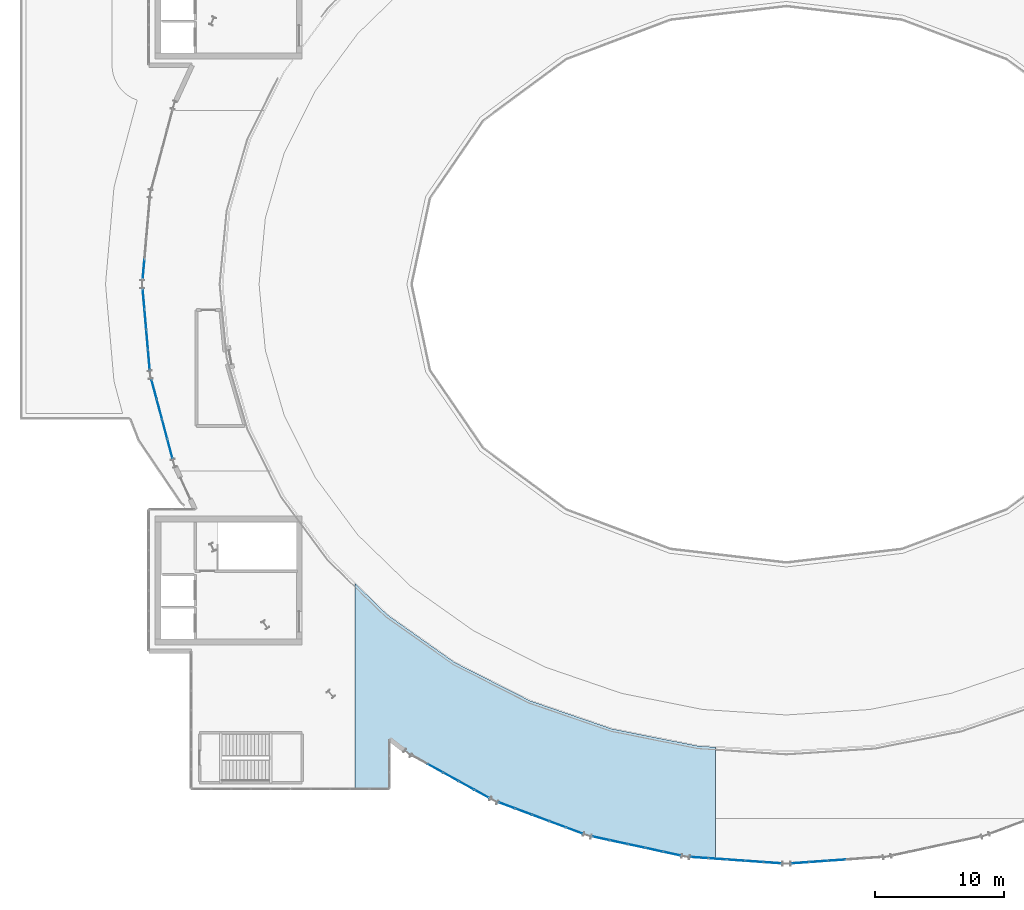
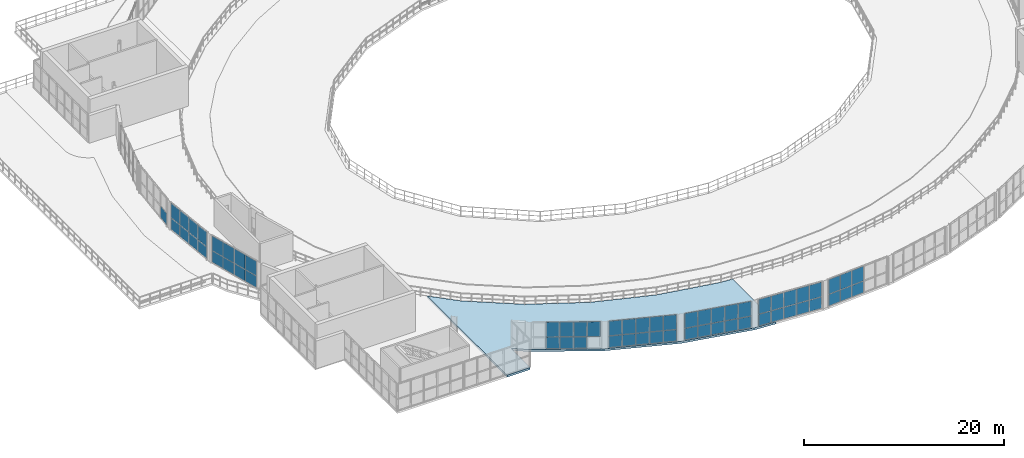
# One storey, part 24 of 40: 60 plates, 1 slab, 8 elements without a shape of their own.
"""IFC4 building model written with IfcOpenShell, lengths in metres."""

from ifc_helpers import new_model, si_unit, direction, frame, origin, origin_2d, place, context, subcontext, project, spatial, polyline, rectangle, outline, extrude, material, layer, layer_set, type_object, element, aggregate, save


model = new_model("IFC4")

# Units and contexts
model_context = context("Model", 3, precision=1e-05, world=origin(), true_north=direction((0.0, 1.0)))
body_context = subcontext(model_context, "Body", "Model", "MODEL_VIEW")
ifc_project = project(units=[si_unit("LENGTHUNIT", "METRE"), si_unit("AREAUNIT", "SQUARE_METRE"), si_unit("VOLUMEUNIT", "CUBIC_METRE"), si_unit("PLANEANGLEUNIT", "RADIAN"), si_unit("MASSUNIT", "GRAM", prefix="KILO")], contexts=[model_context])

# Site, building, storey
site_placement = place(None, origin())
site = spatial("IfcSite", under=ifc_project, at=site_placement, CompositionType="ELEMENT")
building_placement = place(site_placement, origin())
building = spatial("IfcBuilding", under=site, at=building_placement, Name="Glasvene Arena", CompositionType="ELEMENT")
storey_placement = place(building_placement, frame((0.0, 0.0, 24.0)))
storey = spatial("IfcBuildingStorey", under=building, at=storey_placement, Name="L05", CompositionType="ELEMENT", Elevation=24.0)

# Curtain wall, plates
ifc_material_1 = material(Name="Low-emissivity laminated double glazing", Category="glass")
curtain_wall_type_1 = type_object("IfcCurtainWallType", Name="CW-FAC-L05-637x332", PredefinedType="USERDEFINED", material=ifc_material_1)
curtain_wall_1_placement = place(storey_placement, frame((44.3525390625, 59.44873046875, 0.0)))
curtain_wall_1 = element("IfcCurtainWall", 1, at=curtain_wall_1_placement, inside=storey, type_object=curtain_wall_type_1, Name="Unitised curtain wall CW-F-L05-150-435-625-5", ObjectType="CURTAIN WALL", PredefinedType="USERDEFINED")
ifc_layer_1 = layer(ifc_material_1, 0.028076171875)
ifc_layer_set_1 = layer_set([ifc_layer_1], Name="Low-emissivity laminated double glazing")
plate_type = type_object("IfcPlateType", Name="CW-GLZ-28", PredefinedType="CURTAIN_PANEL", material=ifc_layer_set_1)
plate_1_placement = place(storey_placement, frame((44.14404296875, 60.230224609375, 0.10986328125), z_axis=(0.0, 0.0, 1.0), x_axis=(-0.257738862657, 0.966214613156, 0.0)))
plate_1 = element("IfcPlate", 2, at=plate_1_placement, type_object=plate_type, Name="CW-057 panel 1.1", PredefinedType="CURTAIN_PANEL", context=body_context, shape_type="SweptSolid", body=[
    extrude(rectangle(XDim=1.517578125, YDim=0.028076171875, at=origin_2d()), origin(), (0.0, 0.0, 1.0), 1.385986328125),
])
plate_2_placement = place(storey_placement, frame((44.14404296875, 60.230224609375, 1.5458984375), z_axis=(0.0, 0.0, 1.0), x_axis=(-0.257738862657, 0.966214613156, 0.0)))
plate_2 = element("IfcPlate", 3, at=plate_2_placement, type_object=plate_type, Name="CW-057 panel 1.2", PredefinedType="CURTAIN_PANEL", context=body_context, shape_type="SweptSolid", body=[
    extrude(rectangle(XDim=1.517578125, YDim=0.028076171875, at=origin_2d()), origin(), (0.0, 0.0, 1.0), 1.783935546875),
])
plate_3_placement = place(storey_placement, frame((43.73681640625, 61.7568359375, 0.10986328125), z_axis=(0.0, 0.0, 1.0), x_axis=(-0.257738862657, 0.966214613156, 0.0)))
plate_3 = element("IfcPlate", 4, at=plate_3_placement, type_object=plate_type, Name="CW-057 panel 2.1", PredefinedType="CURTAIN_PANEL", context=body_context, shape_type="SweptSolid", body=[
    extrude(rectangle(XDim=1.54248046875, YDim=0.028076171875, at=origin_2d()), origin(), (0.0, 0.0, 1.0), 1.385986328125),
])
plate_4_placement = place(storey_placement, frame((43.73681640625, 61.7568359375, 1.5458984375), z_axis=(0.0, 0.0, 1.0), x_axis=(-0.257738862657, 0.966214613156, 0.0)))
plate_4 = element("IfcPlate", 5, at=plate_4_placement, type_object=plate_type, Name="CW-057 panel 2.2", PredefinedType="CURTAIN_PANEL", context=body_context, shape_type="SweptSolid", body=[
    extrude(rectangle(XDim=1.54248046875, YDim=0.028076171875, at=origin_2d()), origin(), (0.0, 0.0, 1.0), 1.783935546875),
])
plate_5_placement = place(storey_placement, frame((43.326416015625, 63.295654296875, 0.10986328125), z_axis=(0.0, 0.0, 1.0), x_axis=(-0.257738862657, 0.966214613156, 0.0)))
plate_5 = element("IfcPlate", 6, at=plate_5_placement, type_object=plate_type, Name="CW-057 panel 3.1", PredefinedType="CURTAIN_PANEL", context=body_context, shape_type="SweptSolid", body=[
    extrude(rectangle(XDim=1.54248046875, YDim=0.028076171875, at=origin_2d()), origin(), (0.0, 0.0, 1.0), 1.385986328125),
])
plate_6_placement = place(storey_placement, frame((43.326416015625, 63.295654296875, 1.5458984375), z_axis=(0.0, 0.0, 1.0), x_axis=(-0.257738862657, 0.966214613156, 0.0)))
plate_6 = element("IfcPlate", 7, at=plate_6_placement, type_object=plate_type, Name="CW-057 panel 3.2", PredefinedType="CURTAIN_PANEL", context=body_context, shape_type="SweptSolid", body=[
    extrude(rectangle(XDim=1.54248046875, YDim=0.028076171875, at=origin_2d()), origin(), (0.0, 0.0, 1.0), 1.783935546875),
])
plate_7_placement = place(storey_placement, frame((42.919189453125, 64.822265625, 0.10986328125), z_axis=(0.0, 0.0, 1.0), x_axis=(-0.257738862657, 0.966214613156, 0.0)))
plate_7 = element("IfcPlate", 8, at=plate_7_placement, type_object=plate_type, Name="CW-057 panel 4.1", PredefinedType="CURTAIN_PANEL", context=body_context, shape_type="SweptSolid", body=[
    extrude(rectangle(XDim=1.517578125, YDim=0.028076171875, at=origin_2d()), origin(), (0.0, 0.0, 1.0), 1.385986328125),
])
plate_8_placement = place(storey_placement, frame((42.919189453125, 64.822265625, 1.5458984375), z_axis=(0.0, 0.0, 1.0), x_axis=(-0.257738862657, 0.966214613156, 0.0)))
plate_8 = element("IfcPlate", 9, at=plate_8_placement, type_object=plate_type, Name="CW-057 panel 4.2", PredefinedType="CURTAIN_PANEL", context=body_context, shape_type="SweptSolid", body=[
    extrude(rectangle(XDim=1.517578125, YDim=0.028076171875, at=origin_2d()), origin(), (0.0, 0.0, 1.0), 1.783935546875),
])
aggregate(curtain_wall_1, [plate_1, plate_2, plate_3, plate_4, plate_5, plate_6, plate_7, plate_8])

curtain_wall_type_2 = type_object("IfcCurtainWallType", Name="CW-FAC-L05-633x332", PredefinedType="USERDEFINED", material=ifc_material_1)
curtain_wall_2_placement = place(storey_placement, frame((42.58349609375, 66.326416015625, 0.0)))
curtain_wall_2 = element("IfcCurtainWall", 10, at=curtain_wall_2_placement, inside=storey, type_object=curtain_wall_type_2, Name="Unitised curtain wall CW-F-L05-150-423-695-6", ObjectType="CURTAIN WALL", PredefinedType="USERDEFINED")
plate_9_placement = place(storey_placement, frame((42.513671875, 67.127197265625, 0.10986328125), z_axis=(0.0, 0.0, 1.0), x_axis=(-0.087112869305, 0.996198448102, 0.0)))
plate_9 = element("IfcPlate", 11, at=plate_9_placement, type_object=plate_type, Name="CW-058 panel 1.1", PredefinedType="CURTAIN_PANEL", context=body_context, shape_type="SweptSolid", body=[
    extrude(rectangle(XDim=1.5078125, YDim=0.028076171875, at=origin_2d()), origin(), (0.0, 0.0, 1.0), 1.385986328125),
])
plate_10_placement = place(storey_placement, frame((42.513671875, 67.127197265625, 1.5458984375), z_axis=(0.0, 0.0, 1.0), x_axis=(-0.087112869305, 0.996198448102, 0.0)))
plate_10 = element("IfcPlate", 12, at=plate_10_placement, type_object=plate_type, Name="CW-058 panel 1.2", PredefinedType="CURTAIN_PANEL", context=body_context, shape_type="SweptSolid", body=[
    extrude(rectangle(XDim=1.5078125, YDim=0.028076171875, at=origin_2d()), origin(), (0.0, 0.0, 1.0), 1.783935546875),
])
plate_11_placement = place(storey_placement, frame((42.376708984375, 68.69140625, 0.10986328125), z_axis=(0.0, 0.0, 1.0), x_axis=(-0.087112869305, 0.996198448102, 0.0)))
plate_11 = element("IfcPlate", 13, at=plate_11_placement, type_object=plate_type, Name="CW-058 panel 2.1", PredefinedType="CURTAIN_PANEL", context=body_context, shape_type="SweptSolid", body=[
    extrude(rectangle(XDim=1.53271484375, YDim=0.028076171875, at=origin_2d()), origin(), (0.0, 0.0, 1.0), 1.385986328125),
])
plate_12_placement = place(storey_placement, frame((42.376708984375, 68.69140625, 1.5458984375), z_axis=(0.0, 0.0, 1.0), x_axis=(-0.087112869305, 0.996198448102, 0.0)))
plate_12 = element("IfcPlate", 14, at=plate_12_placement, type_object=plate_type, Name="CW-058 panel 2.2", PredefinedType="CURTAIN_PANEL", context=body_context, shape_type="SweptSolid", body=[
    extrude(rectangle(XDim=1.53271484375, YDim=0.028076171875, at=origin_2d()), origin(), (0.0, 0.0, 1.0), 1.783935546875),
])
plate_13_placement = place(storey_placement, frame((42.239013671875, 70.26806640625, 0.10986328125), z_axis=(0.0, 0.0, 1.0), x_axis=(-0.087112869305, 0.996198448102, 0.0)))
plate_13 = element("IfcPlate", 15, at=plate_13_placement, type_object=plate_type, Name="CW-058 panel 3.1", PredefinedType="CURTAIN_PANEL", context=body_context, shape_type="SweptSolid", body=[
    extrude(rectangle(XDim=1.53271484375, YDim=0.028076171875, at=origin_2d()), origin(), (0.0, 0.0, 1.0), 1.385986328125),
])
plate_14_placement = place(storey_placement, frame((42.239013671875, 70.26806640625, 1.5458984375), z_axis=(0.0, 0.0, 1.0), x_axis=(-0.087112869305, 0.996198448102, 0.0)))
plate_14 = element("IfcPlate", 16, at=plate_14_placement, type_object=plate_type, Name="CW-058 panel 3.2", PredefinedType="CURTAIN_PANEL", context=body_context, shape_type="SweptSolid", body=[
    extrude(rectangle(XDim=1.53271484375, YDim=0.028076171875, at=origin_2d()), origin(), (0.0, 0.0, 1.0), 1.783935546875),
])
plate_15_placement = place(storey_placement, frame((42.10205078125, 71.83251953125, 0.10986328125), z_axis=(0.0, 0.0, 1.0), x_axis=(-0.087112869305, 0.996198448102, 0.0)))
plate_15 = element("IfcPlate", 17, at=plate_15_placement, type_object=plate_type, Name="CW-058 panel 4.1", PredefinedType="CURTAIN_PANEL", context=body_context, shape_type="SweptSolid", body=[
    extrude(rectangle(XDim=1.5078125, YDim=0.028076171875, at=origin_2d()), origin(), (0.0, 0.0, 1.0), 1.385986328125),
])
plate_16_placement = place(storey_placement, frame((42.10205078125, 71.83251953125, 1.5458984375), z_axis=(0.0, 0.0, 1.0), x_axis=(-0.087112869305, 0.996198448102, 0.0)))
plate_16 = element("IfcPlate", 18, at=plate_16_placement, type_object=plate_type, Name="CW-058 panel 4.2", PredefinedType="CURTAIN_PANEL", context=body_context, shape_type="SweptSolid", body=[
    extrude(rectangle(XDim=1.5078125, YDim=0.028076171875, at=origin_2d()), origin(), (0.0, 0.0, 1.0), 1.783935546875),
])
aggregate(curtain_wall_2, [plate_9, plate_10, plate_11, plate_12, plate_13, plate_14, plate_15, plate_16])

# Curtain wall, plate
curtain_wall_3_placement = place(storey_placement, frame((42.031982421875, 73.36669921875, 0.0)))
curtain_wall_3 = element("IfcCurtainWall", 19, at=curtain_wall_3_placement, inside=storey, type_object=curtain_wall_type_2, Name="Unitised curtain wall CW-F-L05-150-423-765-7", ObjectType="CURTAIN WALL", PredefinedType="USERDEFINED")
plate_17_placement = place(storey_placement, frame((42.10205078125, 74.16748046875, 0.10986328125), z_axis=(0.0, 0.0, 1.0), x_axis=(0.087112869305, 0.996198448102, 0.0)))
plate_17 = element("IfcPlate", 20, at=plate_17_placement, type_object=plate_type, Name="CW-058 panel 1.1", PredefinedType="CURTAIN_PANEL", context=body_context, shape_type="SweptSolid", body=[
    extrude(rectangle(XDim=1.5078125, YDim=0.028076171875, at=origin_2d()), origin(), (0.0, 0.0, 1.0), 1.385986328125),
])
aggregate(curtain_wall_3, [plate_17])

# Curtain wall, plates
curtain_wall_type_3 = type_object("IfcCurtainWallType", Name="CW-FAC-L05-710x332", PredefinedType="USERDEFINED", material=ifc_material_1)
curtain_wall_4_placement = place(storey_placement, frame((99.453857421875, 28.528076171875, 0.0)))
curtain_wall_4 = element("IfcCurtainWall", 21, at=curtain_wall_4_placement, inside=storey, type_object=curtain_wall_type_3, Name="Unitised curtain wall CW-F-L05-150-959-283-44", ObjectType="CURTAIN WALL", PredefinedType="USERDEFINED")
plate_18_placement = place(storey_placement, frame((95.910400390625, 28.277099609375, 0.10986328125), z_axis=(0.0, 0.0, 1.0), x_axis=(-0.997500679029, -0.070656884566, 0.0)))
plate_18 = element("IfcPlate", 22, at=plate_18_placement, type_object=plate_type, Name="CW-065 panel 3.1", PredefinedType="CURTAIN_PANEL", context=body_context, shape_type="SweptSolid", body=[
    extrude(rectangle(XDim=1.370849609375, YDim=0.028076171875, at=origin_2d()), origin(), (0.0, 0.0, 1.0), 1.385986328125),
])
plate_19_placement = place(storey_placement, frame((95.910400390625, 28.277099609375, 1.5458984375), z_axis=(0.0, 0.0, 1.0), x_axis=(-0.997500679029, -0.070656884566, 0.0)))
plate_19 = element("IfcPlate", 23, at=plate_19_placement, type_object=plate_type, Name="CW-065 panel 3.2", PredefinedType="CURTAIN_PANEL", context=body_context, shape_type="SweptSolid", body=[
    extrude(rectangle(XDim=1.370849609375, YDim=0.028076171875, at=origin_2d()), origin(), (0.0, 0.0, 1.0), 1.783935546875),
])
plate_20_placement = place(storey_placement, frame((94.492919921875, 28.176513671875, 0.10986328125), z_axis=(0.0, 0.0, 1.0), x_axis=(-0.997500679029, -0.070656884566, 0.0)))
plate_20 = element("IfcPlate", 24, at=plate_20_placement, type_object=plate_type, Name="CW-065 panel 4.1", PredefinedType="CURTAIN_PANEL", context=body_context, shape_type="SweptSolid", body=[
    extrude(rectangle(XDim=1.370849609375, YDim=0.028076171875, at=origin_2d()), origin(), (0.0, 0.0, 1.0), 1.385986328125),
])
plate_21_placement = place(storey_placement, frame((94.492919921875, 28.176513671875, 1.5458984375), z_axis=(0.0, 0.0, 1.0), x_axis=(-0.997500679029, -0.070656884566, 0.0)))
plate_21 = element("IfcPlate", 25, at=plate_21_placement, type_object=plate_type, Name="CW-065 panel 4.2", PredefinedType="CURTAIN_PANEL", context=body_context, shape_type="SweptSolid", body=[
    extrude(rectangle(XDim=1.370849609375, YDim=0.028076171875, at=origin_2d()), origin(), (0.0, 0.0, 1.0), 1.783935546875),
])
plate_22_placement = place(storey_placement, frame((93.088134765625, 28.0771484375, 0.10986328125), z_axis=(0.0, 0.0, 1.0), x_axis=(-0.997500679029, -0.070656884566, 0.0)))
plate_22 = element("IfcPlate", 26, at=plate_22_placement, type_object=plate_type, Name="CW-065 panel 5.1", PredefinedType="CURTAIN_PANEL", context=body_context, shape_type="SweptSolid", body=[
    extrude(rectangle(XDim=1.345947265625, YDim=0.028076171875, at=origin_2d()), origin(), (0.0, 0.0, 1.0), 1.385986328125),
])
plate_23_placement = place(storey_placement, frame((93.088134765625, 28.0771484375, 1.5458984375), z_axis=(0.0, 0.0, 1.0), x_axis=(-0.997500679029, -0.070656884566, 0.0)))
plate_23 = element("IfcPlate", 27, at=plate_23_placement, type_object=plate_type, Name="CW-065 panel 5.2", PredefinedType="CURTAIN_PANEL", context=body_context, shape_type="SweptSolid", body=[
    extrude(rectangle(XDim=1.345947265625, YDim=0.028076171875, at=origin_2d()), origin(), (0.0, 0.0, 1.0), 1.783935546875),
])
aggregate(curtain_wall_4, [plate_18, plate_19, plate_20, plate_21, plate_22, plate_23])

curtain_wall_5_placement = place(storey_placement, frame((91.633056640625, 28.02587890625, 0.0)))
curtain_wall_5 = element("IfcCurtainWall", 28, at=curtain_wall_5_placement, inside=storey, type_object=curtain_wall_type_3, Name="Unitised curtain wall CW-F-L05-150-881-283-45", ObjectType="CURTAIN WALL", PredefinedType="USERDEFINED")
plate_24_placement = place(storey_placement, frame((90.911865234375, 28.0771484375, 0.10986328125), z_axis=(0.0, 0.0, 1.0), x_axis=(-0.997500679029, 0.070656884566, 0.0)))
plate_24 = element("IfcPlate", 29, at=plate_24_placement, type_object=plate_type, Name="CW-065 panel 1.1", PredefinedType="CURTAIN_PANEL", context=body_context, shape_type="SweptSolid", body=[
    extrude(rectangle(XDim=1.345947265625, YDim=0.028076171875, at=origin_2d()), origin(), (0.0, 0.0, 1.0), 1.385986328125),
])
plate_25_placement = place(storey_placement, frame((90.911865234375, 28.0771484375, 1.5458984375), z_axis=(0.0, 0.0, 1.0), x_axis=(-0.997500679029, 0.070656884566, 0.0)))
plate_25 = element("IfcPlate", 30, at=plate_25_placement, type_object=plate_type, Name="CW-065 panel 1.2", PredefinedType="CURTAIN_PANEL", context=body_context, shape_type="SweptSolid", body=[
    extrude(rectangle(XDim=1.345947265625, YDim=0.028076171875, at=origin_2d()), origin(), (0.0, 0.0, 1.0), 1.783935546875),
])
plate_26_placement = place(storey_placement, frame((89.507080078125, 28.176513671875, 0.10986328125), z_axis=(0.0, 0.0, 1.0), x_axis=(-0.997500679029, 0.070656884566, 0.0)))
plate_26 = element("IfcPlate", 31, at=plate_26_placement, type_object=plate_type, Name="CW-065 panel 2.1", PredefinedType="CURTAIN_PANEL", context=body_context, shape_type="SweptSolid", body=[
    extrude(rectangle(XDim=1.370849609375, YDim=0.028076171875, at=origin_2d()), origin(), (0.0, 0.0, 1.0), 1.385986328125),
])
plate_27_placement = place(storey_placement, frame((89.507080078125, 28.176513671875, 1.5458984375), z_axis=(0.0, 0.0, 1.0), x_axis=(-0.997500679029, 0.070656884566, 0.0)))
plate_27 = element("IfcPlate", 32, at=plate_27_placement, type_object=plate_type, Name="CW-065 panel 2.2", PredefinedType="CURTAIN_PANEL", context=body_context, shape_type="SweptSolid", body=[
    extrude(rectangle(XDim=1.370849609375, YDim=0.028076171875, at=origin_2d()), origin(), (0.0, 0.0, 1.0), 1.783935546875),
])
plate_28_placement = place(storey_placement, frame((88.089599609375, 28.277099609375, 0.10986328125), z_axis=(0.0, 0.0, 1.0), x_axis=(-0.997500679029, 0.070656884566, 0.0)))
plate_28 = element("IfcPlate", 33, at=plate_28_placement, type_object=plate_type, Name="CW-065 panel 3.1", PredefinedType="CURTAIN_PANEL", context=body_context, shape_type="SweptSolid", body=[
    extrude(rectangle(XDim=1.370849609375, YDim=0.028076171875, at=origin_2d()), origin(), (0.0, 0.0, 1.0), 1.385986328125),
])
plate_29_placement = place(storey_placement, frame((88.089599609375, 28.277099609375, 1.5458984375), z_axis=(0.0, 0.0, 1.0), x_axis=(-0.997500679029, 0.070656884566, 0.0)))
plate_29 = element("IfcPlate", 34, at=plate_29_placement, type_object=plate_type, Name="CW-065 panel 3.2", PredefinedType="CURTAIN_PANEL", context=body_context, shape_type="SweptSolid", body=[
    extrude(rectangle(XDim=1.370849609375, YDim=0.028076171875, at=origin_2d()), origin(), (0.0, 0.0, 1.0), 1.783935546875),
])
plate_30_placement = place(storey_placement, frame((86.672119140625, 28.37744140625, 0.10986328125), z_axis=(0.0, 0.0, 1.0), x_axis=(-0.997500679029, 0.070656884566, 0.0)))
plate_30 = element("IfcPlate", 35, at=plate_30_placement, type_object=plate_type, Name="CW-065 panel 4.1", PredefinedType="CURTAIN_PANEL", context=body_context, shape_type="SweptSolid", body=[
    extrude(rectangle(XDim=1.370849609375, YDim=0.028076171875, at=origin_2d()), origin(), (0.0, 0.0, 1.0), 1.385986328125),
])
plate_31_placement = place(storey_placement, frame((86.672119140625, 28.37744140625, 1.5458984375), z_axis=(0.0, 0.0, 1.0), x_axis=(-0.997500679029, 0.070656884566, 0.0)))
plate_31 = element("IfcPlate", 36, at=plate_31_placement, type_object=plate_type, Name="CW-065 panel 4.2", PredefinedType="CURTAIN_PANEL", context=body_context, shape_type="SweptSolid", body=[
    extrude(rectangle(XDim=1.370849609375, YDim=0.028076171875, at=origin_2d()), origin(), (0.0, 0.0, 1.0), 1.783935546875),
])
plate_32_placement = place(storey_placement, frame((85.267333984375, 28.476806640625, 0.10986328125), z_axis=(0.0, 0.0, 1.0), x_axis=(-0.997500679029, 0.070656884566, 0.0)))
plate_32 = element("IfcPlate", 37, at=plate_32_placement, type_object=plate_type, Name="CW-065 panel 5.1", PredefinedType="CURTAIN_PANEL", context=body_context, shape_type="SweptSolid", body=[
    extrude(rectangle(XDim=1.345947265625, YDim=0.028076171875, at=origin_2d()), origin(), (0.0, 0.0, 1.0), 1.385986328125),
])
plate_33_placement = place(storey_placement, frame((85.267333984375, 28.476806640625, 1.5458984375), z_axis=(0.0, 0.0, 1.0), x_axis=(-0.997500679029, 0.070656884566, 0.0)))
plate_33 = element("IfcPlate", 38, at=plate_33_placement, type_object=plate_type, Name="CW-065 panel 5.2", PredefinedType="CURTAIN_PANEL", context=body_context, shape_type="SweptSolid", body=[
    extrude(rectangle(XDim=1.345947265625, YDim=0.028076171875, at=origin_2d()), origin(), (0.0, 0.0, 1.0), 1.783935546875),
])
aggregate(curtain_wall_5, [plate_24, plate_25, plate_26, plate_27, plate_28, plate_29, plate_30, plate_31, plate_32, plate_33])

curtain_wall_type_4 = type_object("IfcCurtainWallType", Name="CW-FAC-L05-707x332", PredefinedType="USERDEFINED", material=ifc_material_1)
curtain_wall_6_placement = place(storey_placement, frame((83.8193359375, 28.631591796875, 0.0)))
curtain_wall_6 = element("IfcCurtainWall", 39, at=curtain_wall_6_placement, inside=storey, type_object=curtain_wall_type_4, Name="Unitised curtain wall CW-F-L05-150-804-294-46", ObjectType="CURTAIN WALL", PredefinedType="USERDEFINED")
plate_34_placement = place(storey_placement, frame((83.1162109375, 28.783447265625, 0.10986328125), z_axis=(0.0, 0.0, 1.0), x_axis=(-0.977438407668, 0.211220641072, 0.0)))
plate_34 = element("IfcPlate", 40, at=plate_34_placement, type_object=plate_type, Name="CW-064 panel 1.1", PredefinedType="CURTAIN_PANEL", context=body_context, shape_type="SweptSolid", body=[
    extrude(rectangle(XDim=1.338623046875, YDim=0.028076171875, at=origin_2d()), origin(), (0.0, 0.0, 1.0), 1.385986328125),
])
plate_35_placement = place(storey_placement, frame((83.1162109375, 28.783447265625, 1.5458984375), z_axis=(0.0, 0.0, 1.0), x_axis=(-0.977438407668, 0.211220641072, 0.0)))
plate_35 = element("IfcPlate", 41, at=plate_35_placement, type_object=plate_type, Name="CW-064 panel 1.2", PredefinedType="CURTAIN_PANEL", context=body_context, shape_type="SweptSolid", body=[
    extrude(rectangle(XDim=1.338623046875, YDim=0.028076171875, at=origin_2d()), origin(), (0.0, 0.0, 1.0), 1.783935546875),
])
plate_36_placement = place(storey_placement, frame((81.746826171875, 29.079345703125, 0.10986328125), z_axis=(0.0, 0.0, 1.0), x_axis=(-0.977438407668, 0.211220641072, 0.0)))
plate_36 = element("IfcPlate", 42, at=plate_36_placement, type_object=plate_type, Name="CW-064 panel 2.1", PredefinedType="CURTAIN_PANEL", context=body_context, shape_type="SweptSolid", body=[
    extrude(rectangle(XDim=1.363525390625, YDim=0.028076171875, at=origin_2d()), origin(), (0.0, 0.0, 1.0), 1.385986328125),
])
plate_37_placement = place(storey_placement, frame((81.746826171875, 29.079345703125, 1.5458984375), z_axis=(0.0, 0.0, 1.0), x_axis=(-0.977438407668, 0.211220641072, 0.0)))
plate_37 = element("IfcPlate", 43, at=plate_37_placement, type_object=plate_type, Name="CW-064 panel 2.2", PredefinedType="CURTAIN_PANEL", context=body_context, shape_type="SweptSolid", body=[
    extrude(rectangle(XDim=1.363525390625, YDim=0.028076171875, at=origin_2d()), origin(), (0.0, 0.0, 1.0), 1.783935546875),
])
plate_38_placement = place(storey_placement, frame((80.364990234375, 29.3779296875, 0.10986328125), z_axis=(0.0, 0.0, 1.0), x_axis=(-0.977438407668, 0.211220641072, 0.0)))
plate_38 = element("IfcPlate", 44, at=plate_38_placement, type_object=plate_type, Name="CW-064 panel 3.1", PredefinedType="CURTAIN_PANEL", context=body_context, shape_type="SweptSolid", body=[
    extrude(rectangle(XDim=1.363525390625, YDim=0.028076171875, at=origin_2d()), origin(), (0.0, 0.0, 1.0), 1.385986328125),
])
plate_39_placement = place(storey_placement, frame((80.364990234375, 29.3779296875, 1.5458984375), z_axis=(0.0, 0.0, 1.0), x_axis=(-0.977438407668, 0.211220641072, 0.0)))
plate_39 = element("IfcPlate", 45, at=plate_39_placement, type_object=plate_type, Name="CW-064 panel 3.2", PredefinedType="CURTAIN_PANEL", context=body_context, shape_type="SweptSolid", body=[
    extrude(rectangle(XDim=1.363525390625, YDim=0.028076171875, at=origin_2d()), origin(), (0.0, 0.0, 1.0), 1.783935546875),
])
plate_40_placement = place(storey_placement, frame((78.9833984375, 29.676513671875, 0.10986328125), z_axis=(0.0, 0.0, 1.0), x_axis=(-0.977438407668, 0.211220641072, 0.0)))
plate_40 = element("IfcPlate", 46, at=plate_40_placement, type_object=plate_type, Name="CW-064 panel 4.1", PredefinedType="CURTAIN_PANEL", context=body_context, shape_type="SweptSolid", body=[
    extrude(rectangle(XDim=1.363525390625, YDim=0.028076171875, at=origin_2d()), origin(), (0.0, 0.0, 1.0), 1.385986328125),
])
plate_41_placement = place(storey_placement, frame((78.9833984375, 29.676513671875, 1.5458984375), z_axis=(0.0, 0.0, 1.0), x_axis=(-0.977438407668, 0.211220641072, 0.0)))
plate_41 = element("IfcPlate", 47, at=plate_41_placement, type_object=plate_type, Name="CW-064 panel 4.2", PredefinedType="CURTAIN_PANEL", context=body_context, shape_type="SweptSolid", body=[
    extrude(rectangle(XDim=1.363525390625, YDim=0.028076171875, at=origin_2d()), origin(), (0.0, 0.0, 1.0), 1.783935546875),
])
plate_42_placement = place(storey_placement, frame((77.61376953125, 29.972412109375, 0.10986328125), z_axis=(0.0, 0.0, 1.0), x_axis=(-0.977438407668, 0.211220641072, 0.0)))
plate_42 = element("IfcPlate", 48, at=plate_42_placement, type_object=plate_type, Name="CW-064 panel 5.1", PredefinedType="CURTAIN_PANEL", context=body_context, shape_type="SweptSolid", body=[
    extrude(rectangle(XDim=1.338623046875, YDim=0.028076171875, at=origin_2d()), origin(), (0.0, 0.0, 1.0), 1.385986328125),
])
plate_43_placement = place(storey_placement, frame((77.61376953125, 29.972412109375, 1.5458984375), z_axis=(0.0, 0.0, 1.0), x_axis=(-0.977438407668, 0.211220641072, 0.0)))
plate_43 = element("IfcPlate", 49, at=plate_43_placement, type_object=plate_type, Name="CW-064 panel 5.2", PredefinedType="CURTAIN_PANEL", context=body_context, shape_type="SweptSolid", body=[
    extrude(rectangle(XDim=1.338623046875, YDim=0.028076171875, at=origin_2d()), origin(), (0.0, 0.0, 1.0), 1.783935546875),
])
aggregate(curtain_wall_6, [plate_34, plate_35, plate_36, plate_37, plate_38, plate_39, plate_40, plate_41, plate_42, plate_43])

curtain_wall_type_5 = type_object("IfcCurtainWallType", Name="CW-FAC-L05-700x332", PredefinedType="USERDEFINED", material=ifc_material_1)
curtain_wall_7_placement = place(storey_placement, frame((76.205322265625, 30.330810546875, 0.0)))
curtain_wall_7 = element("IfcCurtainWall", 50, at=curtain_wall_7_placement, inside=storey, type_object=curtain_wall_type_5, Name="Unitised curtain wall CW-F-L05-150-729-316-47", ObjectType="CURTAIN WALL", PredefinedType="USERDEFINED")
plate_44_placement = place(storey_placement, frame((75.537841796875, 30.57958984375, 0.10986328125), z_axis=(0.0, 0.0, 1.0), x_axis=(-0.937012154818, 0.349296753096, 0.0)))
plate_44 = element("IfcPlate", 51, at=plate_44_placement, type_object=plate_type, Name="CW-063 panel 1.1", PredefinedType="CURTAIN_PANEL", context=body_context, shape_type="SweptSolid", body=[
    extrude(rectangle(XDim=1.324462890625, YDim=0.028076171875, at=origin_2d()), origin(), (0.0, 0.0, 1.0), 1.385986328125),
])
plate_45_placement = place(storey_placement, frame((75.537841796875, 30.57958984375, 1.5458984375), z_axis=(0.0, 0.0, 1.0), x_axis=(-0.937012154818, 0.349296753096, 0.0)))
plate_45 = element("IfcPlate", 52, at=plate_45_placement, type_object=plate_type, Name="CW-063 panel 1.2", PredefinedType="CURTAIN_PANEL", context=body_context, shape_type="SweptSolid", body=[
    extrude(rectangle(XDim=1.324462890625, YDim=0.028076171875, at=origin_2d()), origin(), (0.0, 0.0, 1.0), 1.783935546875),
])
plate_46_placement = place(storey_placement, frame((74.23828125, 31.06396484375, 0.10986328125), z_axis=(0.0, 0.0, 1.0), x_axis=(-0.937012154818, 0.349296753096, 0.0)))
plate_46 = element("IfcPlate", 53, at=plate_46_placement, type_object=plate_type, Name="CW-063 panel 2.1", PredefinedType="CURTAIN_PANEL", context=body_context, shape_type="SweptSolid", body=[
    extrude(rectangle(XDim=1.349609375, YDim=0.028076171875, at=origin_2d()), origin(), (0.0, 0.0, 1.0), 1.385986328125),
])
plate_47_placement = place(storey_placement, frame((74.23828125, 31.06396484375, 1.5458984375), z_axis=(0.0, 0.0, 1.0), x_axis=(-0.937012154818, 0.349296753096, 0.0)))
plate_47 = element("IfcPlate", 54, at=plate_47_placement, type_object=plate_type, Name="CW-063 panel 2.2", PredefinedType="CURTAIN_PANEL", context=body_context, shape_type="SweptSolid", body=[
    extrude(rectangle(XDim=1.349609375, YDim=0.028076171875, at=origin_2d()), origin(), (0.0, 0.0, 1.0), 1.783935546875),
])
plate_48_placement = place(storey_placement, frame((72.9267578125, 31.552734375, 0.10986328125), z_axis=(0.0, 0.0, 1.0), x_axis=(-0.937012154818, 0.349296753096, 0.0)))
plate_48 = element("IfcPlate", 55, at=plate_48_placement, type_object=plate_type, Name="CW-063 panel 3.1", PredefinedType="CURTAIN_PANEL", context=body_context, shape_type="SweptSolid", body=[
    extrude(rectangle(XDim=1.349609375, YDim=0.028076171875, at=origin_2d()), origin(), (0.0, 0.0, 1.0), 1.385986328125),
])
plate_49_placement = place(storey_placement, frame((72.9267578125, 31.552734375, 1.5458984375), z_axis=(0.0, 0.0, 1.0), x_axis=(-0.937012154818, 0.349296753096, 0.0)))
plate_49 = element("IfcPlate", 56, at=plate_49_placement, type_object=plate_type, Name="CW-063 panel 3.2", PredefinedType="CURTAIN_PANEL", context=body_context, shape_type="SweptSolid", body=[
    extrude(rectangle(XDim=1.349609375, YDim=0.028076171875, at=origin_2d()), origin(), (0.0, 0.0, 1.0), 1.783935546875),
])
plate_50_placement = place(storey_placement, frame((71.615478515625, 32.041748046875, 0.10986328125), z_axis=(0.0, 0.0, 1.0), x_axis=(-0.937012154818, 0.349296753096, 0.0)))
plate_50 = element("IfcPlate", 57, at=plate_50_placement, type_object=plate_type, Name="CW-063 panel 4.1", PredefinedType="CURTAIN_PANEL", context=body_context, shape_type="SweptSolid", body=[
    extrude(rectangle(XDim=1.349609375, YDim=0.028076171875, at=origin_2d()), origin(), (0.0, 0.0, 1.0), 1.385986328125),
])
plate_51_placement = place(storey_placement, frame((71.615478515625, 32.041748046875, 1.5458984375), z_axis=(0.0, 0.0, 1.0), x_axis=(-0.937012154818, 0.349296753096, 0.0)))
plate_51 = element("IfcPlate", 58, at=plate_51_placement, type_object=plate_type, Name="CW-063 panel 4.2", PredefinedType="CURTAIN_PANEL", context=body_context, shape_type="SweptSolid", body=[
    extrude(rectangle(XDim=1.349609375, YDim=0.028076171875, at=origin_2d()), origin(), (0.0, 0.0, 1.0), 1.783935546875),
])
plate_52_placement = place(storey_placement, frame((70.315673828125, 32.526123046875, 0.10986328125), z_axis=(0.0, 0.0, 1.0), x_axis=(-0.937012154818, 0.349296753096, 0.0)))
plate_52 = element("IfcPlate", 59, at=plate_52_placement, type_object=plate_type, Name="CW-063 panel 5.1", PredefinedType="CURTAIN_PANEL", context=body_context, shape_type="SweptSolid", body=[
    extrude(rectangle(XDim=1.324462890625, YDim=0.028076171875, at=origin_2d()), origin(), (0.0, 0.0, 1.0), 1.385986328125),
])
plate_53_placement = place(storey_placement, frame((70.315673828125, 32.526123046875, 1.5458984375), z_axis=(0.0, 0.0, 1.0), x_axis=(-0.937012154818, 0.349296753096, 0.0)))
plate_53 = element("IfcPlate", 60, at=plate_53_placement, type_object=plate_type, Name="CW-063 panel 5.2", PredefinedType="CURTAIN_PANEL", context=body_context, shape_type="SweptSolid", body=[
    extrude(rectangle(XDim=1.324462890625, YDim=0.028076171875, at=origin_2d()), origin(), (0.0, 0.0, 1.0), 1.783935546875),
])
aggregate(curtain_wall_7, [plate_44, plate_45, plate_46, plate_47, plate_48, plate_49, plate_50, plate_51, plate_52, plate_53])

curtain_wall_type_6 = type_object("IfcCurtainWallType", Name="CW-FAC-L05-690x332", PredefinedType="USERDEFINED", material=ifc_material_1)
curtain_wall_8_placement = place(storey_placement, frame((68.97900390625, 33.081787109375, 0.0)))
curtain_wall_8 = element("IfcCurtainWall", 61, at=curtain_wall_8_placement, inside=storey, type_object=curtain_wall_type_6, Name="Unitised curtain wall CW-F-L05-150-660-347-48", ObjectType="CURTAIN WALL", PredefinedType="USERDEFINED")
plate_54_placement = place(storey_placement, frame((68.364013671875, 33.421142578125, 1.5458984375), z_axis=(0.0, 0.0, 1.0), x_axis=(-0.875654185248, 0.482938658483, 0.0)))
plate_54 = element("IfcPlate", 62, at=plate_54_placement, type_object=plate_type, Name="CW-062 panel 1.2", PredefinedType="CURTAIN_PANEL", context=body_context, shape_type="SweptSolid", body=[
    extrude(rectangle(XDim=1.30517578125, YDim=0.028076171875, at=origin_2d()), origin(), (0.0, 0.0, 1.0), 1.783935546875),
])
plate_55_placement = place(storey_placement, frame((67.166259765625, 34.081787109375, 0.10986328125), z_axis=(0.0, 0.0, 1.0), x_axis=(-0.875654185248, 0.482938658483, 0.0)))
plate_55 = element("IfcPlate", 63, at=plate_55_placement, type_object=plate_type, Name="CW-062 panel 2.1", PredefinedType="CURTAIN_PANEL", context=body_context, shape_type="SweptSolid", body=[
    extrude(rectangle(XDim=1.330078125, YDim=0.028076171875, at=origin_2d()), origin(), (0.0, 0.0, 1.0), 1.385986328125),
])
plate_56_placement = place(storey_placement, frame((67.166259765625, 34.081787109375, 1.5458984375), z_axis=(0.0, 0.0, 1.0), x_axis=(-0.875654185248, 0.482938658483, 0.0)))
plate_56 = element("IfcPlate", 64, at=plate_56_placement, type_object=plate_type, Name="CW-062 panel 2.2", PredefinedType="CURTAIN_PANEL", context=body_context, shape_type="SweptSolid", body=[
    extrude(rectangle(XDim=1.330078125, YDim=0.028076171875, at=origin_2d()), origin(), (0.0, 0.0, 1.0), 1.783935546875),
])
plate_57_placement = place(storey_placement, frame((65.957763671875, 34.748291015625, 0.10986328125), z_axis=(0.0, 0.0, 1.0), x_axis=(-0.875654185248, 0.482938658483, 0.0)))
plate_57 = element("IfcPlate", 65, at=plate_57_placement, type_object=plate_type, Name="CW-062 panel 3.1", PredefinedType="CURTAIN_PANEL", context=body_context, shape_type="SweptSolid", body=[
    extrude(rectangle(XDim=1.330078125, YDim=0.028076171875, at=origin_2d()), origin(), (0.0, 0.0, 1.0), 1.385986328125),
])
plate_58_placement = place(storey_placement, frame((65.957763671875, 34.748291015625, 1.5458984375), z_axis=(0.0, 0.0, 1.0), x_axis=(-0.875654185248, 0.482938658483, 0.0)))
plate_58 = element("IfcPlate", 66, at=plate_58_placement, type_object=plate_type, Name="CW-062 panel 3.2", PredefinedType="CURTAIN_PANEL", context=body_context, shape_type="SweptSolid", body=[
    extrude(rectangle(XDim=1.330078125, YDim=0.028076171875, at=origin_2d()), origin(), (0.0, 0.0, 1.0), 1.783935546875),
])
plate_59_placement = place(storey_placement, frame((64.749267578125, 35.414794921875, 0.10986328125), z_axis=(0.0, 0.0, 1.0), x_axis=(-0.875654185248, 0.482938658483, 0.0)))
plate_59 = element("IfcPlate", 67, at=plate_59_placement, type_object=plate_type, Name="CW-062 panel 4.1", PredefinedType="CURTAIN_PANEL", context=body_context, shape_type="SweptSolid", body=[
    extrude(rectangle(XDim=1.330078125, YDim=0.028076171875, at=origin_2d()), origin(), (0.0, 0.0, 1.0), 1.385986328125),
])
plate_60_placement = place(storey_placement, frame((64.749267578125, 35.414794921875, 1.5458984375), z_axis=(0.0, 0.0, 1.0), x_axis=(-0.875654185248, 0.482938658483, 0.0)))
plate_60 = element("IfcPlate", 68, at=plate_60_placement, type_object=plate_type, Name="CW-062 panel 4.2", PredefinedType="CURTAIN_PANEL", context=body_context, shape_type="SweptSolid", body=[
    extrude(rectangle(XDim=1.330078125, YDim=0.028076171875, at=origin_2d()), origin(), (0.0, 0.0, 1.0), 1.783935546875),
])
aggregate(curtain_wall_8, [plate_54, plate_55, plate_56, plate_57, plate_58, plate_59, plate_60])

# Slab
ifc_material_2 = material(Name="Concrete C40/50", Category="concrete")
ifc_layer_2 = layer(ifc_material_2, 0.25)
ifc_layer_set_2 = layer_set([ifc_layer_2], Name="Concrete C40/50")
slab_type = type_object("IfcSlabType", Name="SL-UPPER-250", PredefinedType="FLOOR", material=ifc_layer_set_2)
slab_placement = place(storey_placement, frame((71.203369140625, 37.067626953125, -0.25)))
element("IfcSlab", 69, at=slab_placement, inside=storey, type_object=slab_type, Name="Structural floor slab L05 sector 2-3 (119)", PredefinedType="FLOOR", context=body_context, shape_type="SweptSolid", body=[
    extrude(outline(polyline([(5.345947265625, -6.865234375), (-1.90283203125, -4.162841796875), (-8.5927734375, -0.473388671875), (-10.00341796875, 0.611083984375), (-10.00341796875, -3.267578125), (-12.703369140625, -3.267578125), (-12.703369140625, 12.71826171875), (-10.174560546875, 10.264404296875), (-4.948486328125, 6.565185546875), (0.911865234375, 3.5888671875), (7.26171875, 1.408935546875), (13.94482421875, 0.079345703125), (15.296630859375, -0.009033203125), (15.296630859375, -8.677978515625), (12.974853515625, -8.513671875), (5.345947265625, -6.865234375)])), origin(), (0.0, 0.0, 1.0), 0.25),
])

save(model, "model.ifc")
